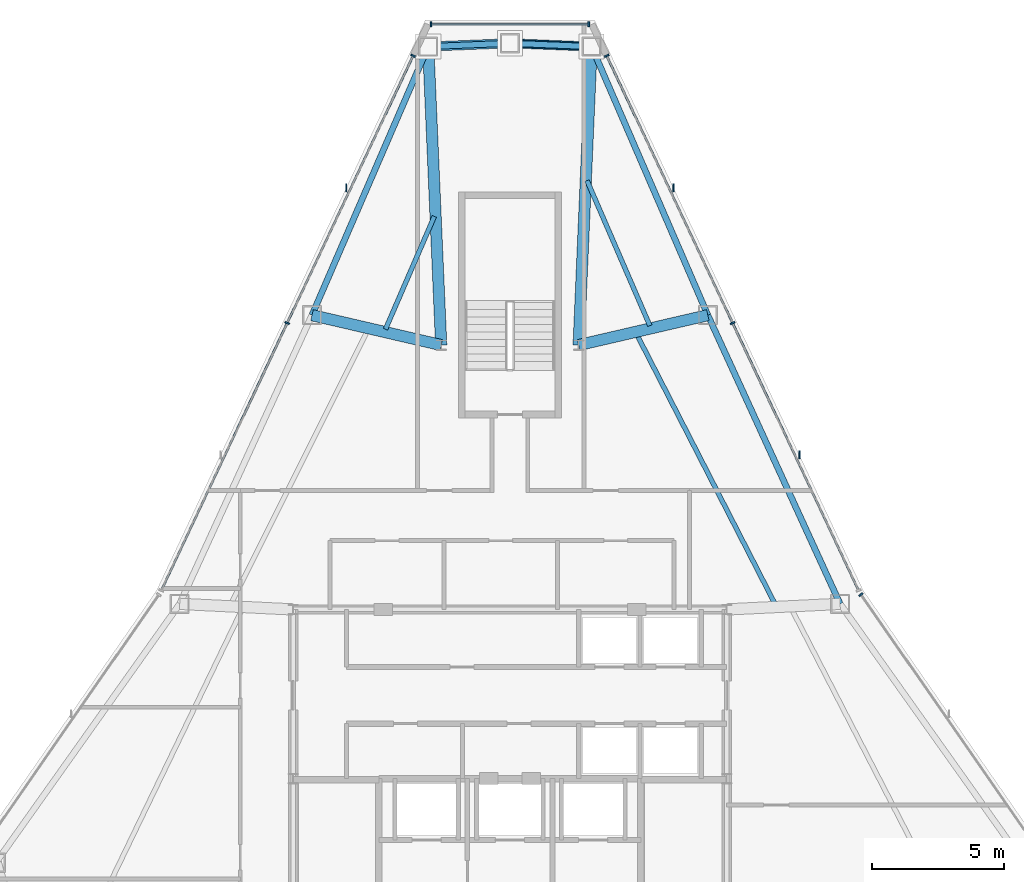
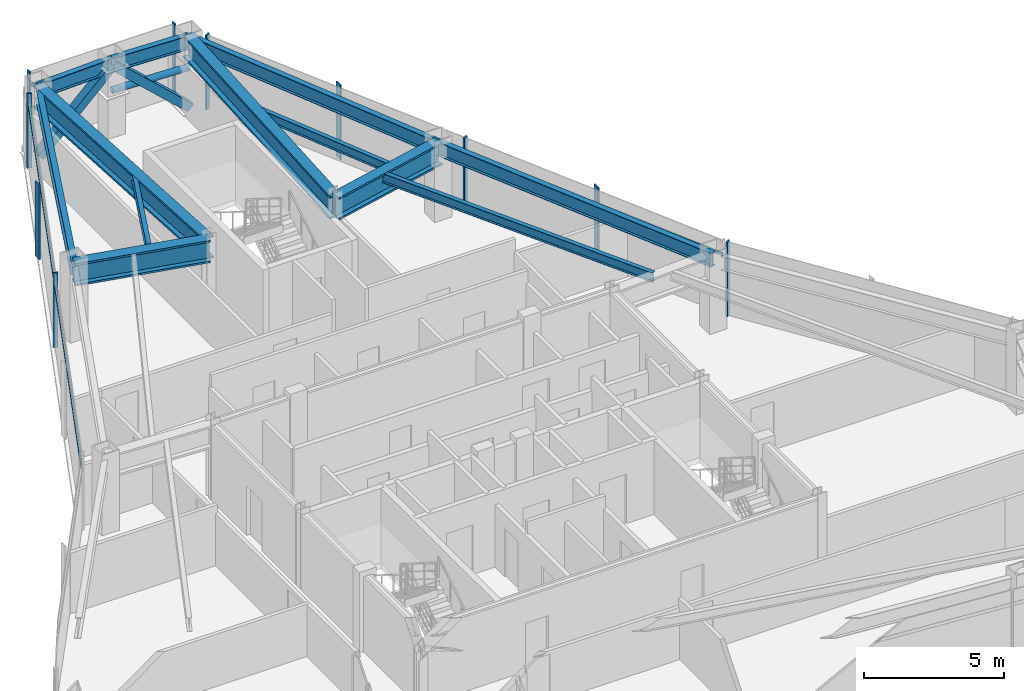
# One storey, part 7 of 12: 16 members, 12 beams, 4 elements without a shape of their own.
"""IFC4 building model written with IfcOpenShell, lengths in metres."""

from ifc_helpers import new_model, si_unit, direction, frame, origin, origin_2d, place, context, subcontext, project, spatial, rectangle, hollow_rectangle, hollow_circle, i_section, extrude, source, transform, mapped, material, layer, layer_set, material_profile, profile_set, type_object, type_shapes, element, aggregate, save


model = new_model("IFC4")

# Units and contexts
model_context = context("Model", 3, precision=1e-05, world=origin(), true_north=direction((0.0, 1.0)))
body_context = subcontext(model_context, "Body", "Model", "MODEL_VIEW")
ifc_project = project(units=[si_unit("LENGTHUNIT", "METRE"), si_unit("AREAUNIT", "SQUARE_METRE"), si_unit("VOLUMEUNIT", "CUBIC_METRE"), si_unit("PLANEANGLEUNIT", "RADIAN"), si_unit("MASSUNIT", "GRAM", prefix="KILO")], contexts=[model_context])

# Site, building, storey
site_placement = place(None, origin())
site = spatial("IfcSite", under=ifc_project, at=site_placement, CompositionType="ELEMENT")
building_placement = place(site_placement, origin())
building = spatial("IfcBuilding", under=site, at=building_placement, Name="Varakhsha Concourse Tower", CompositionType="ELEMENT")
storey_placement = place(building_placement, frame((0.0, 0.0, 232.89990234375)))
storey = spatial("IfcBuildingStorey", under=building, at=storey_placement, Name="L66", CompositionType="ELEMENT", Elevation=232.89990234375)

# Beams
ifc_material_1 = material(Name="Structural Steel ASTM A992 Grade 50", Category="steel")
ifc_material_profile_1 = material_profile(ifc_material_1, i_section(OverallWidth=0.177978515625, OverallDepth=0.406982421875, WebThickness=0.008056640625, FlangeThickness=0.012939453125, at=origin_2d()), Name="W16X40")
ifc_profile_set_1 = profile_set([ifc_material_profile_1], Name="Structural Steel ASTM A992 Grade 50")
beam_type_1 = type_object("IfcBeamType", Name="BM-JST-W16X40", PredefinedType="JOIST", material=ifc_profile_set_1)
beam_1_placement = place(storey_placement, frame((37.140625, 46.0673828125, 3.046630859375), z_axis=(-0.397166916615, -0.917746392173, 0.0), x_axis=(0.917746392173, -0.397166916615, 0.0)))
element("IfcBeam", 1, at=beam_1_placement, inside=storey, type_object=beam_type_1, Name="BM-TJST-L66-03", PredefinedType="JOIST", context=body_context, shape_type="SweptSolid", body=[
    extrude(i_section(OverallWidth=0.177978515625, OverallDepth=0.406982421875, WebThickness=0.008056640625, FlangeThickness=0.012939453125, at=origin_2d()), origin(), (0.0, 0.0, 1.0), 4.65087890625),
])
beam_2_placement = place(storey_placement, frame((50.037353515625, 31.390869140625, 3.046630859375), z_axis=(-0.456398720102, 0.889775369568, 0.0), x_axis=(-0.889775369568, -0.456398720102, 0.0)))
element("IfcBeam", 2, at=beam_2_placement, inside=storey, type_object=beam_type_1, Name="BM-TJST-L66-17", PredefinedType="JOIST", context=body_context, shape_type="SweptSolid", body=[
    extrude(i_section(OverallWidth=0.177978515625, OverallDepth=0.406982421875, WebThickness=0.008056640625, FlangeThickness=0.012939453125, at=origin_2d()), origin(), (0.0, 0.0, 1.0), 11.47412109375),
])
beam_3_placement = place(storey_placement, frame((45.293212890625, 41.93505859375, 3.046630859375), z_axis=(-0.397223519068, 0.917721894639, 0.0), x_axis=(-0.917721894639, -0.397223519068, 0.0)))
element("IfcBeam", 3, at=beam_3_placement, inside=storey, type_object=beam_type_1, Name="BM-TJST-L66-18", PredefinedType="JOIST", context=body_context, shape_type="SweptSolid", body=[
    extrude(i_section(OverallWidth=0.177978515625, OverallDepth=0.406982421875, WebThickness=0.008056640625, FlangeThickness=0.012939453125, at=origin_2d()), origin(), (0.0, 0.0, 1.0), 5.97900390625),
])
ifc_material_profile_2 = material_profile(ifc_material_1, i_section(OverallWidth=0.22900390625, OverallDepth=0.612060546875, WebThickness=0.011962890625, FlangeThickness=0.02001953125, at=origin_2d()), Name="W24X84")
ifc_profile_set_2 = profile_set([ifc_material_profile_2], Name="Structural Steel ASTM A992 Grade 50")
beam_type_2 = type_object("IfcBeamType", Name="BM-SPAN-W24X84", PredefinedType="SPANDREL", material=ifc_profile_set_2)
for number, where, z_axis, x_axis, name in (
    (4, (43.090087890625, 52.491455078125, 2.944091796875), (-0.999170021385, 0.040734117961, 0.0), (-0.040734117961, -0.999170021385, 0.0), "BM-SPAN-L66-01"),
    (5, (40.0, 52.617431640625, 2.944091796875), (-0.999170021385, -0.040734117961, 0.0), (0.040734117961, -0.999170021385, 0.0), "BM-SPAN-L66-02"),
):
    element("IfcBeam", number, at=place(storey_placement, frame(where, z_axis=z_axis, x_axis=x_axis)), inside=storey, type_object=beam_type_2, Name=name, PredefinedType="SPANDREL", context=body_context, shape_type="SweptSolid", body=[
        extrude(i_section(OverallWidth=0.22900390625, OverallDepth=0.612060546875, WebThickness=0.011962890625, FlangeThickness=0.02001953125, at=origin_2d()), origin(), (0.0, 0.0, 1.0), 3.0927734375),
    ])
beam_4_placement = place(storey_placement, frame((36.909912109375, 52.491455078125, 2.944091796875), z_axis=(-0.397201381513, -0.917731476263, 0.0), x_axis=(0.917731476263, -0.397201381513, 0.0)))
element("IfcBeam", 6, at=beam_4_placement, inside=storey, type_object=beam_type_2, Name="BM-SPAN-L66-03", PredefinedType="SPANDREL", context=body_context, shape_type="SweptSolid", body=[
    extrude(i_section(OverallWidth=0.22900390625, OverallDepth=0.612060546875, WebThickness=0.011962890625, FlangeThickness=0.02001953125, at=origin_2d()), origin(), (0.0, 0.0, 1.0), 11.06982421875),
])
beam_5_placement = place(storey_placement, frame((52.489990234375, 31.4111328125, 2.944091796875), z_axis=(-0.416476249185, 0.909146596466, 0.0), x_axis=(-0.909146596466, -0.416476249185, 0.0)))
element("IfcBeam", 7, at=beam_5_placement, inside=storey, type_object=beam_type_2, Name="BM-SPAN-L66-17", PredefinedType="SPANDREL", context=body_context, shape_type="SweptSolid", body=[
    extrude(i_section(OverallWidth=0.22900390625, OverallDepth=0.612060546875, WebThickness=0.011962890625, FlangeThickness=0.02001953125, at=origin_2d()), origin(), (0.0, 0.0, 1.0), 12.012451171875),
])
beam_6_placement = place(storey_placement, frame((47.487060546875, 42.332275390625, 2.944091796875), z_axis=(-0.397201381513, 0.917731476263, 0.0), x_axis=(-0.917731476263, -0.397201381513, 0.0)))
element("IfcBeam", 8, at=beam_6_placement, inside=storey, type_object=beam_type_2, Name="BM-SPAN-L66-18", PredefinedType="SPANDREL", context=body_context, shape_type="SweptSolid", body=[
    extrude(i_section(OverallWidth=0.22900390625, OverallDepth=0.612060546875, WebThickness=0.011962890625, FlangeThickness=0.02001953125, at=origin_2d()), origin(), (0.0, 0.0, 1.0), 11.06982421875),
])
ifc_material_profile_3 = material_profile(ifc_material_1, i_section(OverallWidth=0.427978515625, OverallDepth=0.97509765625, WebThickness=0.050048828125, FlangeThickness=0.0810546875, at=origin_2d()), Name="W36X395")
ifc_profile_set_3 = profile_set([ifc_material_profile_3], Name="Structural Steel ASTM A992 Grade 50")
beam_type_3 = type_object("IfcBeamType", Name="BM-XFER-W36X395", PredefinedType="USERDEFINED", material=ifc_profile_set_3)
for number, where, z_axis, x_axis, name in (
    (9, (42.60009765625, 41.199951171875, 2.7626953125), (0.043353794227, 0.999059782258, 0.0), (-0.999059782258, 0.043353794227, 0.0), "L66 Radial Floor Girder 01"),
    (10, (37.39990234375, 41.199951171875, 2.7626953125), (-0.043353794227, 0.999059782258, 0.0), (-0.999059782258, -0.043353794227, 0.0), "L66 Radial Floor Girder 03"),
):
    element("IfcBeam", number, at=place(storey_placement, frame(where, z_axis=z_axis, x_axis=x_axis)), inside=storey, type_object=beam_type_3, Name=name, ObjectType="GIRDER", PredefinedType="USERDEFINED", context=body_context, shape_type="SweptSolid", body=[
        extrude(i_section(OverallWidth=0.427978515625, OverallDepth=0.97509765625, WebThickness=0.050048828125, FlangeThickness=0.0810546875, at=origin_2d()), origin(), (0.0, 0.0, 1.0), 11.30224609375),
    ])
for number, where, z_axis, x_axis, name in (
    (11, (37.39990234375, 41.199951171875, 2.7626953125), (-0.974191491968, 0.225723142316, 0.0), (-0.225723142316, -0.974191491968, 0.0), "L66 Radial Floor Girder 04"),
    (12, (42.60009765625, 41.199951171875, 2.7626953125), (0.974191491968, 0.225723142316, 0.0), (-0.225723142316, 0.974191491968, 0.0), "L66 Radial Floor Girder 18"),
):
    element("IfcBeam", number, at=place(storey_placement, frame(where, z_axis=z_axis, x_axis=x_axis)), inside=storey, type_object=beam_type_3, Name=name, ObjectType="GIRDER", PredefinedType="USERDEFINED", context=body_context, shape_type="SweptSolid", body=[
        extrude(i_section(OverallWidth=0.427978515625, OverallDepth=0.97509765625, WebThickness=0.050048828125, FlangeThickness=0.0810546875, at=origin_2d()), origin(), (0.0, 0.0, 1.0), 5.016357421875),
    ])

# Members
ifc_material_2 = material(Name="Structural Steel ASTM A500 Grade C", Category="steel")
ifc_material_profile_4 = material_profile(ifc_material_2, hollow_rectangle(XDim=0.35009765625, YDim=0.35009765625, WallThickness=0.01611328125, at=origin_2d()), Name="HSS 350x350x16")
ifc_profile_set_4 = profile_set([ifc_material_profile_4], Name="Structural Steel ASTM A500 Grade C")
member_type_1 = type_object("IfcMemberType", Name="MB-TUBE-HSS350", PredefinedType="BRACE", material=ifc_profile_set_4)
shared_shape_1 = source(origin(), body_context, "Body", "SweptSolid", [
    extrude(hollow_rectangle(XDim=0.35009765625, YDim=0.35009765625, WallThickness=0.01611328125, at=origin_2d()), origin(), (0.0, 0.0, 1.0), 4.192138671875),
])
type_shapes(member_type_1, [shared_shape_1])
for number, where, z_axis, x_axis, name in (
    (13, (43.090087890625, 52.491455078125, 0.1201171875), (-0.737118493094, 0.030050813181, 0.675095012399), (-0.040734117961, -0.999170021385, 0.0), "L66 Wind-Corner Tube Brace B01"),
    (14, (36.909912109375, 52.491455078125, 0.1201171875), (0.737118493094, 0.030050813181, 0.675095012399), (-0.040734117961, 0.999170021385, 0.0), "L66 Wind-Corner Tube Brace B02"),
):
    element("IfcMember", number, at=place(storey_placement, frame(where, z_axis=z_axis, x_axis=x_axis)), inside=storey, type_object=member_type_1, Name=name, PredefinedType="BRACE", context=body_context, shape_type="MappedRepresentation", body=[
        mapped(shared_shape_1, transform((0.0, 0.0, 0.0), scale=1.0)),
    ])
ifc_material_profile_5 = material_profile(ifc_material_2, hollow_circle(Radius=0.136474609375, WallThickness=0.011962890625, at=origin_2d()), Name="CHS 273x12")
ifc_profile_set_5 = profile_set([ifc_material_profile_5], Name="Structural Steel ASTM A500 Grade C")
member_type_2 = type_object("IfcMemberType", Name="MB-WIND-CHS273", PredefinedType="COLLAR", material=ifc_profile_set_5)
shared_shape_2 = source(origin(), body_context, "Body", "SweptSolid", [
    extrude(hollow_circle(Radius=0.136474609375, WallThickness=0.011962890625, at=origin_2d()), origin(), (0.0, 0.0, 1.0), 3.0927734375),
])
type_shapes(member_type_2, [shared_shape_2])
member_1_placement = place(storey_placement, frame((43.090087890625, 52.491455078125, 1.800048828125), z_axis=(-0.999170021385, 0.040734117961, 0.0), x_axis=(-0.040734117961, -0.999170021385, 0.0)))
element("IfcMember", 15, at=member_1_placement, inside=storey, type_object=member_type_2, Name="L66 Wind-Corner Collar Tie 1", PredefinedType="COLLAR", context=body_context, shape_type="MappedRepresentation", body=[
    mapped(shared_shape_2, transform((0.0, 0.0, 0.0), scale=1.0)),
])

# Curtain wall, members
ifc_material_3 = material(Name="Anodised Bronze Architectural Aluminium AA 6063-T6", Category="aluminium")
ifc_layer = layer(ifc_material_3, 0.199951171875, Name="CW-SYS-05")
ifc_layer_set = layer_set([ifc_layer], Name="Anodised Bronze Architectural Aluminium AA 6063-T6")
curtain_wall_type = type_object("IfcCurtainWallType", Name="CW-SYS-05", PredefinedType="NOTDEFINED", material=ifc_layer_set)
curtain_wall_1_placement = place(storey_placement, origin())
curtain_wall_1 = element("IfcCurtainWall", 16, at=curtain_wall_1_placement, inside=storey, type_object=curtain_wall_type, Name="L66 Chamfer Curtain Wall F1", PredefinedType="NOTDEFINED")
ifc_material_profile_6 = material_profile(ifc_material_3, rectangle(XDim=0.06494140625, YDim=0.179931640625, at=origin_2d()), Name="CWM-180X65")
ifc_profile_set_6 = profile_set([ifc_material_profile_6], Name="Anodised Bronze Architectural Aluminium AA 6063-T6")
member_type_3 = type_object("IfcMemberType", Name="CWM-180X65", PredefinedType="MULLION", material=ifc_profile_set_6)
shared_shape_3 = source(origin(), body_context, "Body", "SweptSolid", [
    extrude(rectangle(XDim=0.06494140625, YDim=0.179931640625, at=origin_2d()), origin(), (0.0, 0.0, 1.0), 3.25),
])
type_shapes(member_type_3, [shared_shape_3])
member_2_placement = place(storey_placement, frame((37.02001953125, 53.33740234375, 0.0), z_axis=(0.0, 0.0, 1.0), x_axis=(1.0, 0.0, 0.0)))
member_2 = element("IfcMember", 17, at=member_2_placement, type_object=member_type_3, Name="CW-L66-F1 Mullion 00", PredefinedType="MULLION", context=body_context, shape_type="MappedRepresentation", body=[
    mapped(shared_shape_3, transform((0.0, 0.0, 0.0), scale=1.0)),
])
member_3_placement = place(storey_placement, frame((42.97998046875, 53.33740234375, 0.0), z_axis=(0.0, 0.0, 1.0), x_axis=(1.0, 0.0, 0.0)))
member_3 = element("IfcMember", 18, at=member_3_placement, type_object=member_type_3, Name="CW-L66-F1 Mullion 01", PredefinedType="MULLION", context=body_context, shape_type="MappedRepresentation", body=[
    mapped(shared_shape_3, transform((0.0, 0.0, 0.0), scale=1.0)),
])

curtain_wall_2_placement = place(storey_placement, origin())
curtain_wall_2 = element("IfcCurtainWall", 19, at=curtain_wall_2_placement, inside=storey, type_object=curtain_wall_type, Name="L66 Crystal Curtain Wall F2", PredefinedType="NOTDEFINED")
member_4_placement = place(storey_placement, frame((31.575927734375, 42.032958984375, 0.0), z_axis=(0.0, 0.0, 1.0), x_axis=(0.426172477405, 0.904641928888, 0.0)))
member_4 = element("IfcMember", 20, at=member_4_placement, type_object=member_type_3, Name="CW-L66-F2 Mullion 01", PredefinedType="MULLION", context=body_context, shape_type="MappedRepresentation", body=[
    mapped(shared_shape_3, transform((0.0, 0.0, 0.0), scale=1.0)),
])
member_5_placement = place(storey_placement, frame((36.339599609375, 52.14453125, 0.0), z_axis=(0.0, 0.0, 1.0), x_axis=(0.426172477405, 0.904641928888, 0.0)))
member_5 = element("IfcMember", 21, at=member_5_placement, type_object=member_type_3, Name="CW-L66-F2 Mullion 02", PredefinedType="MULLION", context=body_context, shape_type="MappedRepresentation", body=[
    mapped(shared_shape_3, transform((0.0, 0.0, 0.0), scale=1.0)),
])

# Curtain wall, member
curtain_wall_3_placement = place(storey_placement, origin())
curtain_wall_3 = element("IfcCurtainWall", 22, at=curtain_wall_3_placement, inside=storey, type_object=curtain_wall_type, Name="L66 Crystal Curtain Wall F8", PredefinedType="NOTDEFINED")
member_6_placement = place(storey_placement, frame((53.280517578125, 31.760009765625, 0.0), z_axis=(0.0, 0.0, 1.0), x_axis=(0.570360953861, -0.821394169879, 0.0)))
member_6 = element("IfcMember", 23, at=member_6_placement, type_object=member_type_3, Name="CW-L66-F8 Mullion 00", PredefinedType="MULLION", context=body_context, shape_type="MappedRepresentation", body=[
    mapped(shared_shape_3, transform((0.0, 0.0, 0.0), scale=1.0)),
])
aggregate(curtain_wall_3, [member_6])

# Curtain wall, members
curtain_wall_4_placement = place(storey_placement, origin())
curtain_wall_4 = element("IfcCurtainWall", 24, at=curtain_wall_4_placement, inside=storey, type_object=curtain_wall_type, Name="L66 Crystal Curtain Wall F9", PredefinedType="NOTDEFINED")
member_7_placement = place(storey_placement, frame((43.660400390625, 52.14453125, 0.0), z_axis=(0.0, 0.0, 1.0), x_axis=(0.426172477405, -0.904641928888, 0.0)))
member_7 = element("IfcMember", 25, at=member_7_placement, type_object=member_type_3, Name="CW-L66-F9 Mullion 00", PredefinedType="MULLION", context=body_context, shape_type="MappedRepresentation", body=[
    mapped(shared_shape_3, transform((0.0, 0.0, 0.0), scale=1.0)),
])
member_8_placement = place(storey_placement, frame((48.423828125, 42.032958984375, 0.0), z_axis=(0.0, 0.0, 1.0), x_axis=(0.426172477405, -0.904641928888, 0.0)))
member_8 = element("IfcMember", 26, at=member_8_placement, type_object=member_type_3, Name="CW-L66-F9 Mullion 01", PredefinedType="MULLION", context=body_context, shape_type="MappedRepresentation", body=[
    mapped(shared_shape_3, transform((0.0, 0.0, 0.0), scale=1.0)),
])

# Member
ifc_material_profile_7 = material_profile(ifc_material_3, rectangle(XDim=0.054931640625, YDim=0.300048828125, at=origin_2d()), Name="FIN-BRZ-300")
ifc_profile_set_7 = profile_set([ifc_material_profile_7], Name="Anodised Bronze Architectural Aluminium AA 6063-T6")
member_type_4 = type_object("IfcMemberType", Name="FIN-BRZ-300", PredefinedType="USERDEFINED", material=ifc_profile_set_7)
shared_shape_4 = source(origin(), body_context, "Body", "SweptSolid", [
    extrude(rectangle(XDim=0.054931640625, YDim=0.300048828125, at=origin_2d()), origin(), (0.0, 0.0, 1.0), 3.25),
])
type_shapes(member_type_4, [shared_shape_4])
member_9_placement = place(storey_placement, frame((33.80859375, 47.1591796875, 0.0), z_axis=(0.0, 0.0, 1.0), x_axis=(1.0, 0.0, 0.0)))
member_9 = element("IfcMember", 27, at=member_9_placement, type_object=member_type_4, Name="L66 Anodised Bronze Solar Fin F2-2", ObjectType="SOLAR FIN", PredefinedType="USERDEFINED", context=body_context, shape_type="MappedRepresentation", body=[
    mapped(shared_shape_4, transform((0.0, 0.0, 0.0), scale=1.0)),
])

member_10_placement = place(storey_placement, frame((46.19140625, 47.1591796875, 0.0), z_axis=(0.0, 0.0, 1.0), x_axis=(1.0, 0.0, 0.0)))
member_10 = element("IfcMember", 28, at=member_10_placement, type_object=member_type_4, Name="L66 Anodised Bronze Solar Fin F9-1", ObjectType="SOLAR FIN", PredefinedType="USERDEFINED", context=body_context, shape_type="MappedRepresentation", body=[
    mapped(shared_shape_4, transform((0.0, 0.0, 0.0), scale=1.0)),
])

member_11_placement = place(storey_placement, frame((50.955078125, 37.04736328125, 0.0), z_axis=(0.0, 0.0, 1.0), x_axis=(1.0, 0.0, 0.0)))
member_11 = element("IfcMember", 29, at=member_11_placement, type_object=member_type_4, Name="L66 Anodised Bronze Solar Fin F9-2", ObjectType="SOLAR FIN", PredefinedType="USERDEFINED", context=body_context, shape_type="MappedRepresentation", body=[
    mapped(shared_shape_4, transform((0.0, 0.0, 0.0), scale=1.0)),
])

ifc_material_profile_8 = material_profile(ifc_material_3, rectangle(XDim=0.06005859375, YDim=0.139892578125, at=origin_2d()), Name="CWT-140X60")
ifc_profile_set_8 = profile_set([ifc_material_profile_8], Name="Anodised Bronze Architectural Aluminium AA 6063-T6")
member_type_5 = type_object("IfcMemberType", Name="CWT-140X60", PredefinedType="USERDEFINED", material=ifc_profile_set_8)
shared_shape_5 = source(origin(), body_context, "Body", "SweptSolid", [
    extrude(rectangle(XDim=0.06005859375, YDim=0.139892578125, at=origin_2d()), origin(), (0.0, 0.0, 1.0), 22.35498046875),
])
member_12_placement = place(storey_placement, frame((26.8125, 31.92138671875, 2.60009765625), z_axis=(0.426175154781, 0.904640667584, 0.0), x_axis=(-0.904640667584, 0.426175154781, 0.0)))
member_12 = element("IfcMember", 30, at=member_12_placement, type_object=member_type_5, Name="CW-L66-F2 Transom 01", ObjectType="TRANSOM", PredefinedType="USERDEFINED", context=body_context, shape_type="MappedRepresentation", body=[
    mapped(shared_shape_5, transform((0.0, 0.0, 0.0), scale=1.0)),
])

aggregate(curtain_wall_2, [member_4, member_5, member_12, member_9])

member_13_placement = place(storey_placement, frame((43.660400390625, 52.14453125, 2.60009765625), z_axis=(0.426175154781, -0.904640667584, 0.0), x_axis=(0.904640667584, 0.426175154781, 0.0)))
member_13 = element("IfcMember", 31, at=member_13_placement, type_object=member_type_5, Name="CW-L66-F9 Transom 01", ObjectType="TRANSOM", PredefinedType="USERDEFINED", context=body_context, shape_type="MappedRepresentation", body=[
    mapped(shared_shape_5, transform((0.0, 0.0, 0.0), scale=1.0)),
])

aggregate(curtain_wall_4, [member_7, member_8, member_13, member_10, member_11])

shared_shape_6 = source(origin(), body_context, "Body", "SweptSolid", [
    extrude(rectangle(XDim=0.06005859375, YDim=0.139892578125, at=origin_2d()), origin(), (0.0, 0.0, 1.0), 5.9599609375),
])
type_shapes(member_type_5, [shared_shape_5, shared_shape_6])
member_14_placement = place(storey_placement, frame((37.02001953125, 53.33740234375, 2.60009765625), z_axis=(1.0, 0.0, 0.0), x_axis=(0.0, 1.0, 0.0)))
member_14 = element("IfcMember", 32, at=member_14_placement, type_object=member_type_5, Name="CW-L66-F1 Transom 01", ObjectType="TRANSOM", PredefinedType="USERDEFINED", context=body_context, shape_type="MappedRepresentation", body=[
    mapped(shared_shape_6, transform((0.0, 0.0, 0.0), scale=1.0)),
])

aggregate(curtain_wall_1, [member_2, member_3, member_14])

save(model, "model.ifc")
